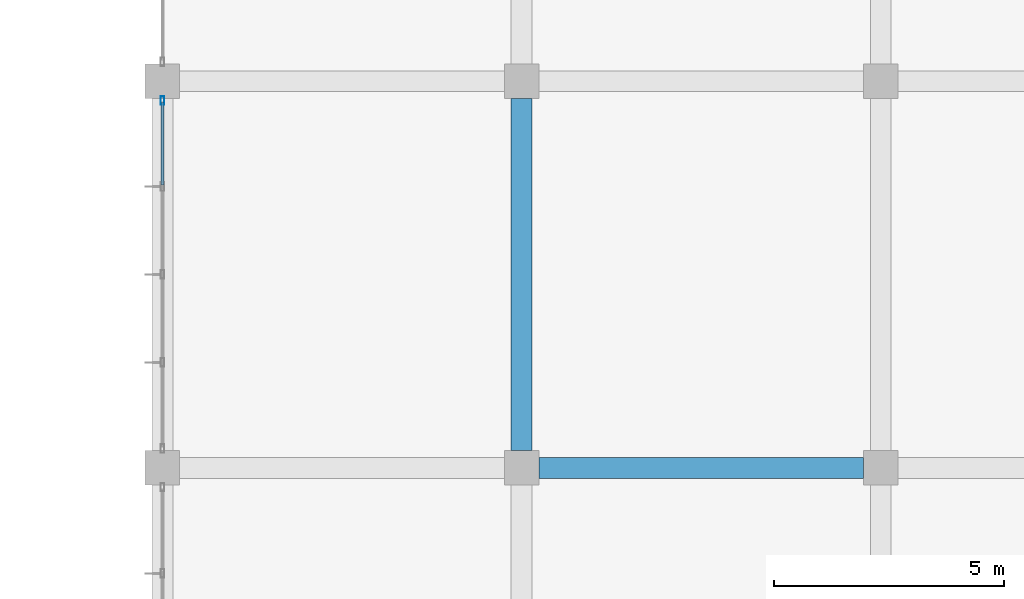
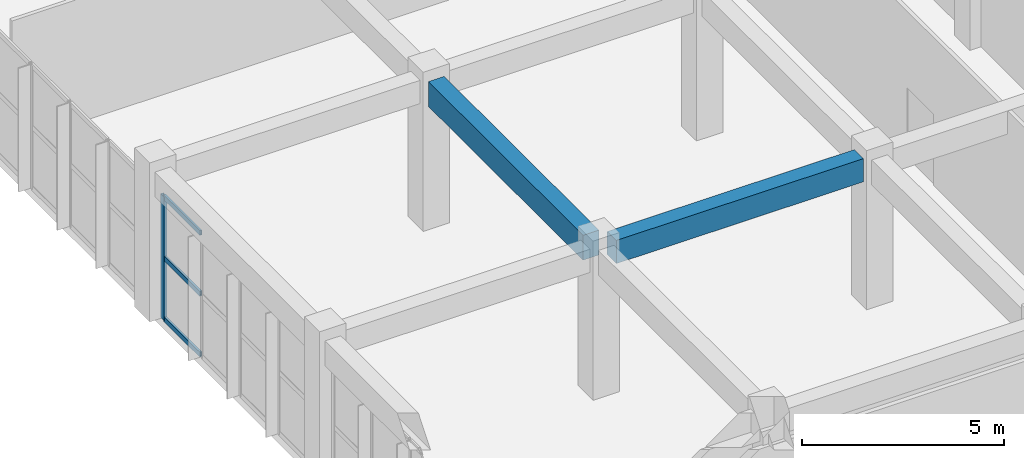
# One storey, part 17 of 167: 4 members, 2 beams, 1 element without a shape of its own.
"""IFC4 building model written with IfcOpenShell, lengths in metres."""

from ifc_helpers import new_model, si_unit, direction, frame, origin, origin_2d, place, context, subcontext, project, spatial, rectangle, hollow_rectangle, extrude, material, layer, layer_set, material_profile, profile_set, type_object, element, aggregate, save


model = new_model("IFC4")

# Units and contexts
model_context = context("Model", 3, precision=1e-05, world=origin(), true_north=direction((0.0, 1.0)))
body_context = subcontext(model_context, "Body", "Model", "MODEL_VIEW")
ifc_project = project(units=[si_unit("LENGTHUNIT", "METRE"), si_unit("AREAUNIT", "SQUARE_METRE"), si_unit("VOLUMEUNIT", "CUBIC_METRE"), si_unit("PLANEANGLEUNIT", "RADIAN"), si_unit("MASSUNIT", "GRAM", prefix="KILO")], contexts=[model_context])

# Site, building, storey
site_placement = place(None, origin())
site = spatial("IfcSite", under=ifc_project, at=site_placement, CompositionType="ELEMENT")
building_placement = place(site_placement, origin())
building = spatial("IfcBuilding", under=site, at=building_placement, Name="Zizhar Promenade General Hospital", CompositionType="ELEMENT")
storey_placement = place(building_placement, frame((0.0, 0.0, 9.60009765625)))
storey = spatial("IfcBuildingStorey", under=building, at=storey_placement, Name="L02", CompositionType="ELEMENT", Elevation=9.60009765625)

# Beams
ifc_material_1 = material(Name="Concrete C35/45", Category="concrete")
ifc_material_profile_1 = material_profile(ifc_material_1, rectangle(XDim=0.449951171875, YDim=0.699951171875, at=origin_2d()))
ifc_profile_set_1 = profile_set([ifc_material_profile_1], Name="Concrete C35/45")
beam_type_1 = type_object("IfcBeamType", Name="BM-RC-450x700", PredefinedType="BEAM", material=ifc_profile_set_1)
beam_1_placement = place(storey_placement, frame((8.175048828125, 33.60009765625, 4.119873046875), z_axis=(1.0, 0.0, 0.0), x_axis=(0.0, 1.0, 0.0)))
element("IfcBeam", 1, at=beam_1_placement, inside=storey, type_object=beam_type_1, Name="Grid Beam X L02 (1-4)", PredefinedType="BEAM", context=body_context, shape_type="SweptSolid", body=[
    extrude(rectangle(XDim=0.449951171875, YDim=0.699951171875, at=origin_2d()), origin(), (0.0, 0.0, 1.0), 7.050048828125),
])
ifc_material_2 = material(Name="Concrete C35/45", Category="concrete")
ifc_material_profile_2 = material_profile(ifc_material_2, rectangle(XDim=0.449951171875, YDim=0.75, at=origin_2d()))
ifc_profile_set_2 = profile_set([ifc_material_profile_2], Name="Concrete C35/45")
beam_type_2 = type_object("IfcBeamType", Name="BM-RC-450x750", PredefinedType="BEAM", material=ifc_profile_set_2)
beam_2_placement = place(storey_placement, frame((7.800048828125, 33.97509765625, 4.094970703125), z_axis=(0.0, 1.0, 0.0), x_axis=(-1.0, 0.0, 0.0)))
element("IfcBeam", 2, at=beam_2_placement, inside=storey, type_object=beam_type_2, Name="Grid Beam Y L02 (1-4)", PredefinedType="BEAM", context=body_context, shape_type="SweptSolid", body=[
    extrude(rectangle(XDim=0.449951171875, YDim=0.75, at=origin_2d()), origin(), (0.0, 0.0, 1.0), 7.64990234375),
])

# Curtain wall, members
ifc_material_3 = material(Name="Anodised aluminium 6063-T6 and low-E glass", Category="aluminium")
ifc_layer = layer(ifc_material_3, 0.159912109375)
ifc_layer_set = layer_set([ifc_layer], Name="Anodised aluminium 6063-T6 and low-E glass")
curtain_wall_type = type_object("IfcCurtainWallType", Name="CW-ED-FRONT", PredefinedType="NOTDEFINED", material=ifc_layer_set)
curtain_wall_placement = place(storey_placement, origin())
curtain_wall = element("IfcCurtainWall", 3, at=curtain_wall_placement, inside=storey, type_object=curtain_wall_type, Name="West Diagnostic Arm Glazed Curtain Wall L02-W4", PredefinedType="NOTDEFINED")
ifc_material_4 = material(Name="Anodised aluminium 6063-T6", Category="aluminium")
ifc_material_profile_3 = material_profile(ifc_material_4, hollow_rectangle(XDim=0.080078125, YDim=0.179931640625, WallThickness=0.0048828125, at=origin_2d()))
ifc_profile_set_3 = profile_set([ifc_material_profile_3], Name="Anodised aluminium 6063-T6")
member_type_1 = type_object("IfcMemberType", Name="CWM-ALU-180x80", PredefinedType="MULLION", material=ifc_profile_set_3)
member_1_placement = place(storey_placement, frame((0.0, 41.580078125, 0.0), z_axis=(0.0, 0.0, 1.0), x_axis=(-1.0, 0.0, 0.0)))
member_1 = element("IfcMember", 4, at=member_1_placement, type_object=member_type_1, Name="CW-06 mullion 5", PredefinedType="MULLION", context=body_context, shape_type="SweptSolid", body=[
    extrude(hollow_rectangle(XDim=0.080078125, YDim=0.179931640625, WallThickness=0.0048828125, at=origin_2d()), origin(), (0.0, 0.0, 1.0), 3.72998046875),
])
ifc_material_5 = material(Name="Anodised aluminium 6063-T6", Category="aluminium")
ifc_material_profile_4 = material_profile(ifc_material_5, hollow_rectangle(XDim=0.06005859375, YDim=0.14990234375, WallThickness=0.00390625, at=origin_2d()))
ifc_profile_set_4 = profile_set([ifc_material_profile_4], Name="Anodised aluminium 6063-T6")
member_type_2 = type_object("IfcMemberType", Name="CWT-ALU-150x60", PredefinedType="USERDEFINED", material=ifc_profile_set_4)
member_2_placement = place(storey_placement, frame((0.0, 39.75, 0.02978515625), z_axis=(0.0, 1.0, 0.0), x_axis=(-1.0, 0.0, 0.0)))
member_2 = element("IfcMember", 5, at=member_2_placement, type_object=member_type_2, Name="CW-06 transom 4.1", ObjectType="TRANSOM", PredefinedType="USERDEFINED", context=body_context, shape_type="SweptSolid", body=[
    extrude(hollow_rectangle(XDim=0.06005859375, YDim=0.14990234375, WallThickness=0.00390625, at=origin_2d()), origin(), (0.0, 0.0, 1.0), 1.7900390625),
])
member_3_placement = place(storey_placement, frame((0.0, 39.75, 1.864990234375), z_axis=(0.0, 1.0, 0.0), x_axis=(-1.0, 0.0, 0.0)))
member_3 = element("IfcMember", 6, at=member_3_placement, type_object=member_type_2, Name="CW-06 transom 4.2", ObjectType="TRANSOM", PredefinedType="USERDEFINED", context=body_context, shape_type="SweptSolid", body=[
    extrude(hollow_rectangle(XDim=0.06005859375, YDim=0.14990234375, WallThickness=0.00390625, at=origin_2d()), origin(), (0.0, 0.0, 1.0), 1.7900390625),
])
member_4_placement = place(storey_placement, frame((0.0, 39.75, 3.699951171875), z_axis=(0.0, 1.0, 0.0), x_axis=(-1.0, 0.0, 0.0)))
member_4 = element("IfcMember", 7, at=member_4_placement, type_object=member_type_2, Name="CW-06 transom 4.3", ObjectType="TRANSOM", PredefinedType="USERDEFINED", context=body_context, shape_type="SweptSolid", body=[
    extrude(hollow_rectangle(XDim=0.06005859375, YDim=0.14990234375, WallThickness=0.00390625, at=origin_2d()), origin(), (0.0, 0.0, 1.0), 1.7900390625),
])
aggregate(curtain_wall, [member_1, member_2, member_3, member_4])

save(model, "model.ifc")
